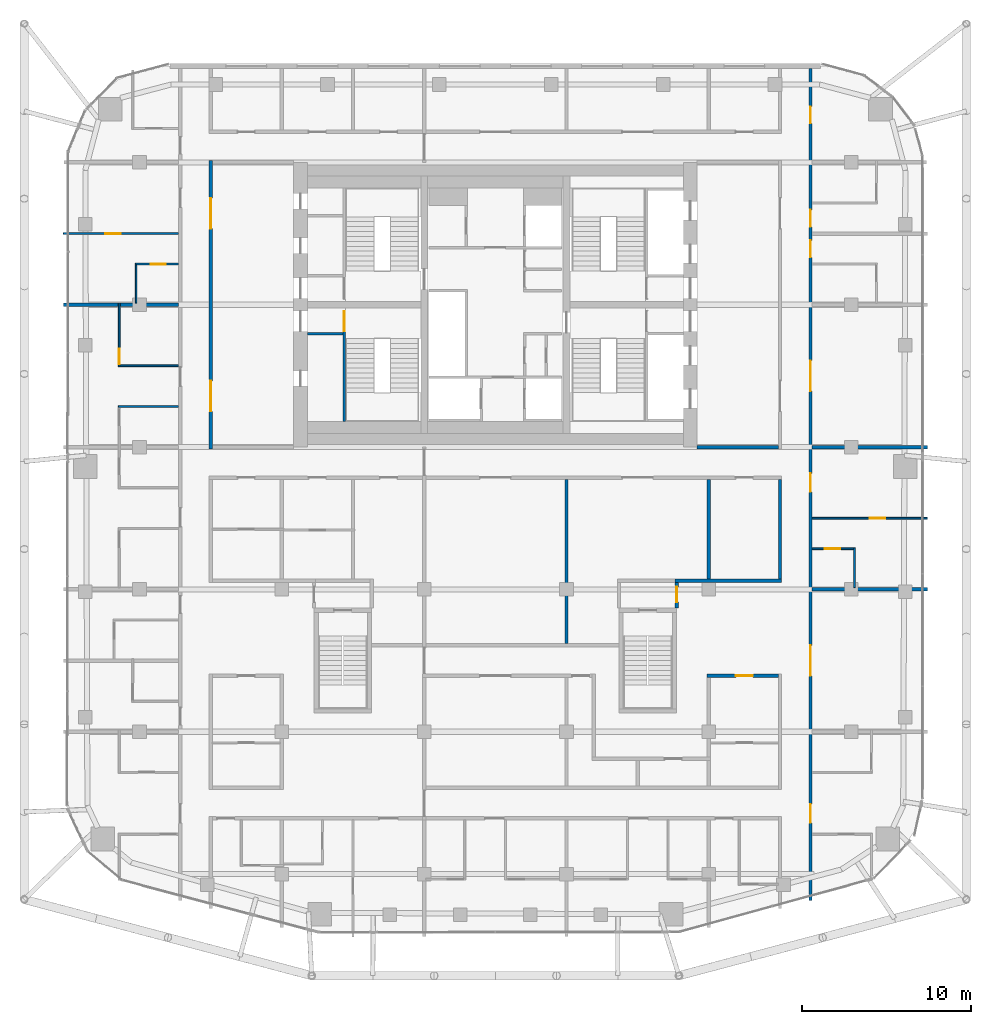
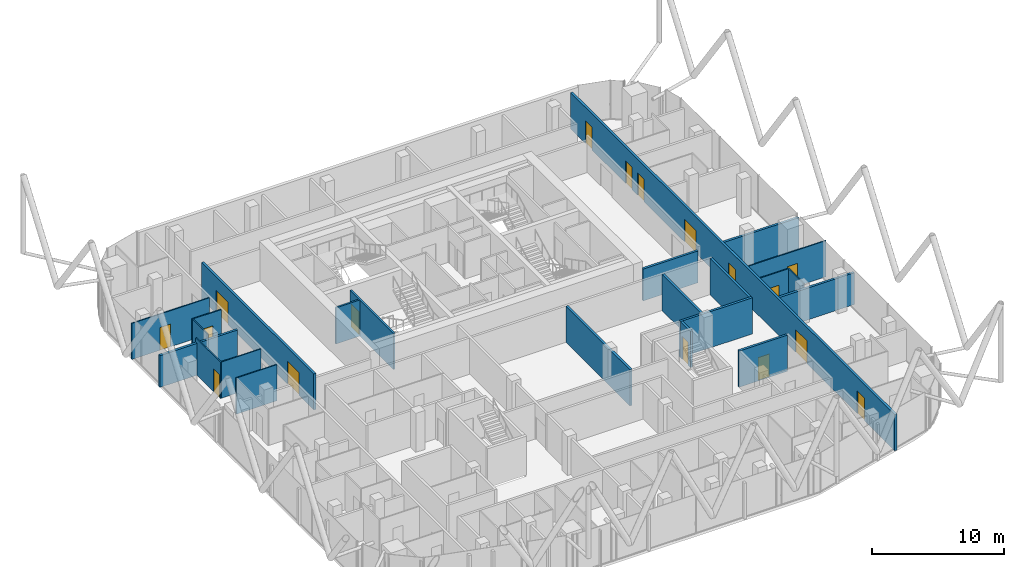
# One storey, part 26 of 31: 23 walls, 17 doors, 17 openings.
"""IFC4 building model written with IfcOpenShell, lengths in metres."""

from ifc_helpers import new_model, si_unit, direction, frame, frame_2d, origin, place, context, subcontext, project, spatial, rectangle, extrude, material, layer, layer_set, type_object, element, fill, save


model = new_model("IFC4")

# Units and contexts
model_context = context("Model", 3, precision=1e-05, world=origin(), true_north=direction((0.0, 1.0)))
body_context = subcontext(model_context, "Body", "Model", "MODEL_VIEW")
ifc_project = project(units=[si_unit("LENGTHUNIT", "METRE"), si_unit("AREAUNIT", "SQUARE_METRE"), si_unit("VOLUMEUNIT", "CUBIC_METRE"), si_unit("PLANEANGLEUNIT", "RADIAN"), si_unit("MASSUNIT", "GRAM", prefix="KILO")], contexts=[model_context])

# Site, building, storey
site_placement = place(None, origin())
site = spatial("IfcSite", under=ifc_project, at=site_placement, CompositionType="ELEMENT")
building_placement = place(site_placement, origin())
building = spatial("IfcBuilding", under=site, at=building_placement, Name="Marenta Gate Hotel Tower", CompositionType="ELEMENT")
storey_placement = place(building_placement, frame((0.0, 0.0, 205.699951171875)))
storey = spatial("IfcBuildingStorey", under=building, at=storey_placement, Name="L47", CompositionType="ELEMENT", Elevation=205.699951171875)

# Wall, openings, doors
ifc_material_1 = material(Name="Concrete blockwork", Category="masonry")
ifc_layer_1 = layer(ifc_material_1, 0.199951171875)
ifc_layer_set_1 = layer_set([ifc_layer_1], Name="Concrete blockwork")
wall_type_1 = type_object("IfcWallType", Name="Core boundary wall 200 REI 180", PredefinedType="PARTITIONING", material=ifc_layer_set_1)
wall_1_placement = place(storey_placement, frame((-16.800048828125, -0.10009765625, 0.0), z_axis=(0.0, 0.0, 1.0), x_axis=(0.0, 1.0, 0.0)))
wall_1 = element("IfcWall", 1, at=wall_1_placement, inside=storey, type_object=wall_type_1, Name="L47-CP-BW-W", PredefinedType="PARTITIONING", context=body_context, shape_type="SweptSolid", body=[
    extrude(rectangle(XDim=17.0, YDim=0.199951171875, at=frame_2d((8.5, 0.0))), origin(), (0.0, 0.0, 1.0), 3.340087890625),
])
opening_1_placement = place(wall_1_placement, frame((2.199951171875, 0.0, 0.0)))
opening_1 = element("IfcOpeningElement", 2, at=opening_1_placement, cuts=wall_1, Name="Opening ED-Wa-B", PredefinedType="OPENING", context=body_context, shape_type="SweptSolid", body=[
    extrude(rectangle(XDim=1.800048828125, YDim=2.10009765625, at=frame_2d((0.89990234375, 1.050048828125))), frame((0.0, 0.10009765625, 0.0), z_axis=(0.0, -1.0, 0.0), x_axis=(1.0, 0.0, 0.0)), (0.0, 0.0, 1.0), 0.199951171875),
])
opening_2_placement = place(wall_1_placement, frame((13.0, 0.0, 0.0)))
opening_2 = element("IfcOpeningElement", 3, at=opening_2_placement, cuts=wall_1, Name="Opening ED-Wb-B", PredefinedType="OPENING", context=body_context, shape_type="SweptSolid", body=[
    extrude(rectangle(XDim=1.800048828125, YDim=2.10009765625, at=frame_2d((0.89990234375, 1.050048828125))), frame((0.0, 0.10009765625, 0.0), z_axis=(0.0, -1.0, 0.0), x_axis=(1.0, 0.0, 0.0)), (0.0, 0.0, 1.0), 0.199951171875),
])
ifc_material_2 = material(Name="Steel", Category="steel")
door_type_1 = type_object("IfcDoorType", Name="Core lobby entrance door 1800x2100 EI 60", OperationType="DOUBLE_DOOR_SINGLE_SWING", PredefinedType="DOOR", material=ifc_material_2)
door_1_placement = place(opening_1_placement, origin())
door_1 = element("IfcDoor", 4, at=door_1_placement, inside=storey, type_object=door_type_1, Name="ED-Wa-B", OperationType="DOUBLE_DOOR_SINGLE_SWING", OverallHeight=2.10009765625, OverallWidth=1.800048828125, PredefinedType="DOOR", context=body_context, shape_type="SweptSolid", body=[
    extrude(rectangle(XDim=1.800048828125, YDim=2.10009765625, at=frame_2d((0.89990234375, 1.050048828125))), frame((0.0, 0.02490234375, 0.0), z_axis=(0.0, -1.0, 0.0), x_axis=(1.0, 0.0, 0.0)), (0.0, 0.0, 1.0), 0.050048828125),
])
fill(opening_1, door_1)
door_2_placement = place(opening_2_placement, origin())
door_2 = element("IfcDoor", 5, at=door_2_placement, inside=storey, type_object=door_type_1, Name="ED-Wb-B", OperationType="DOUBLE_DOOR_SINGLE_SWING", OverallHeight=2.10009765625, OverallWidth=1.800048828125, PredefinedType="DOOR", context=body_context, shape_type="SweptSolid", body=[
    extrude(rectangle(XDim=1.800048828125, YDim=2.10009765625, at=frame_2d((0.89990234375, 1.050048828125))), frame((0.0, 0.02490234375, 0.0), z_axis=(0.0, -1.0, 0.0), x_axis=(1.0, 0.0, 0.0)), (0.0, 0.0, 1.0), 0.050048828125),
])
fill(opening_2, door_2)

# Walls
wall_2_placement = place(storey_placement, frame((11.89990234375, 0.0, 0.0), z_axis=(0.0, 0.0, 1.0), x_axis=(1.0, 0.0, 0.0)))
element("IfcWall", 6, at=wall_2_placement, inside=storey, type_object=wall_type_1, Name="L47-CP-EW-ES", PredefinedType="PARTITIONING", context=body_context, shape_type="SweptSolid", body=[
    extrude(rectangle(XDim=4.800048828125, YDim=0.199951171875, at=frame_2d((2.39990234375, 0.0))), origin(), (0.0, 0.0, 1.0), 2.93994140625),
])
ifc_material_3 = material(Name="Concrete blockwork", Category="masonry")
ifc_layer_2 = layer(ifc_material_3, 0.14990234375)
ifc_layer_set_2 = layer_set([ifc_layer_2], Name="Concrete blockwork")
wall_type_2 = type_object("IfcWallType", Name="Core room partition 150 REI 180", PredefinedType="PARTITIONING", material=ifc_layer_set_2)
wall_3_placement = place(storey_placement, frame((-11.10009765625, 6.675048828125, 0.0), z_axis=(0.0, 0.0, 1.0), x_axis=(1.0, 0.0, 0.0)))
element("IfcWall", 7, at=wall_3_placement, inside=storey, type_object=wall_type_2, Name="L47-CP-SW-WS-2", PredefinedType="PARTITIONING", context=body_context, shape_type="SweptSolid", body=[
    extrude(rectangle(XDim=2.10009765625, YDim=0.14990234375, at=frame_2d((1.050048828125, 0.0))), origin(), (0.0, 0.0, 1.0), 3.340087890625),
])

# Wall, opening, door
ifc_material_4 = material(Name="Concrete C40", Category="concrete")
ifc_layer_3 = layer(ifc_material_4, 0.14990234375)
ifc_layer_set_3 = layer_set([ifc_layer_3], Name="Concrete C40")
wall_type_3 = type_object("IfcWallType", Name="Core stair enclosure wall 150 REI 180", PredefinedType="SHEAR", material=ifc_layer_set_3)
wall_4_placement = place(storey_placement, frame((-8.925048828125, 1.5, 0.0), z_axis=(0.0, 0.0, 1.0), x_axis=(0.0, 1.0, 0.0)))
wall_4 = element("IfcWall", 8, at=wall_4_placement, inside=storey, type_object=wall_type_3, Name="L47-SHF-SW-WS-3", PredefinedType="SHEAR", context=body_context, shape_type="SweptSolid", body=[
    extrude(rectangle(XDim=6.60009765625, YDim=0.14990234375, at=frame_2d((3.300048828125, 0.0))), origin(), (0.0, 0.0, 1.0), 3.340087890625),
])
opening_3_placement = place(wall_4_placement, frame((5.324951171875, 0.0, 0.0)))
opening_3 = element("IfcOpeningElement", 9, at=opening_3_placement, cuts=wall_4, Name="Opening SD-WS", PredefinedType="OPENING", context=body_context, shape_type="SweptSolid", body=[
    extrude(rectangle(XDim=1.199951171875, YDim=2.10009765625, at=frame_2d((0.60009765625, 1.050048828125))), frame((0.0, 0.074951171875, 0.0), z_axis=(0.0, -1.0, 0.0), x_axis=(1.0, 0.0, 0.0)), (0.0, 0.0, 1.0), 0.14990234375),
])
ifc_material_5 = material(Name="Steel", Category="steel")
door_type_2 = type_object("IfcDoorType", Name="Core stair door 1200x2100 FD60", OperationType="SINGLE_SWING_LEFT", PredefinedType="DOOR", material=ifc_material_5)
door_3_placement = place(opening_3_placement, origin())
door_3 = element("IfcDoor", 10, at=door_3_placement, inside=storey, type_object=door_type_2, Name="SD-WS", OperationType="SINGLE_SWING_LEFT", OverallHeight=2.10009765625, OverallWidth=1.199951171875, PredefinedType="DOOR", context=body_context, shape_type="SweptSolid", body=[
    extrude(rectangle(XDim=1.199951171875, YDim=2.10009765625, at=frame_2d((0.60009765625, 1.050048828125))), frame((0.0, 0.02490234375, 0.0), z_axis=(0.0, -1.0, 0.0), x_axis=(1.0, 0.0, 0.0)), (0.0, 0.0, 1.0), 0.050048828125),
])
fill(opening_3, door_3)

ifc_material_6 = material(Name="Concrete blockwork", Category="masonry")
ifc_layer_4 = layer(ifc_material_6, 0.199951171875)
ifc_layer_set_4 = layer_set([ifc_layer_4], Name="Concrete blockwork")
wall_type_4 = type_object("IfcWallType", Name="Room corridor wall 200 EI 120", PredefinedType="PARTITIONING", material=ifc_layer_set_4)
wall_5_placement = place(storey_placement, frame((12.5, -13.5, 0.0), z_axis=(0.0, 0.0, 1.0), x_axis=(1.0, 0.0, 0.0)))
wall_5 = element("IfcWall", 11, at=wall_5_placement, inside=storey, type_object=wall_type_4, Name="L47-PTN-W033", PredefinedType="PARTITIONING", context=body_context, shape_type="SweptSolid", body=[
    extrude(rectangle(XDim=4.199951171875, YDim=0.199951171875, at=frame_2d((2.10009765625, 0.0))), origin(), (0.0, 0.0, 1.0), 3.340087890625),
])
opening_4_placement = place(wall_5_placement, frame((1.699951171875, 0.0, 0.0)))
opening_4 = element("IfcOpeningElement", 12, at=opening_4_placement, cuts=wall_5, Name="Opening G16-14", PredefinedType="OPENING", context=body_context, shape_type="SweptSolid", body=[
    extrude(rectangle(XDim=1.0, YDim=2.10009765625, at=frame_2d((0.5, 1.050048828125))), frame((0.0, 0.10009765625, 0.0), z_axis=(0.0, -1.0, 0.0), x_axis=(1.0, 0.0, 0.0)), (0.0, 0.0, 1.0), 0.199951171875),
])
ifc_material_7 = material(Name="Hollow steel door set", Category="steel")
door_type_3 = type_object("IfcDoorType", Name="Room service door 1000x2100 EI 60", OperationType="NOTDEFINED", PredefinedType="DOOR", material=ifc_material_7)
door_4_placement = place(opening_4_placement, origin())
door_4 = element("IfcDoor", 13, at=door_4_placement, inside=storey, type_object=door_type_3, Name="L47-PD-D014", OperationType="SINGLE_SWING_RIGHT", OverallHeight=2.10009765625, OverallWidth=1.0, PredefinedType="DOOR", context=body_context, shape_type="SweptSolid", body=[
    extrude(rectangle(XDim=1.0, YDim=2.10009765625, at=frame_2d((0.5, 1.050048828125))), frame((0.0, 0.02490234375, 0.0), z_axis=(0.0, -1.0, 0.0), x_axis=(1.0, 0.0, 0.0)), (0.0, 0.0, 1.0), 0.050048828125),
])
fill(opening_4, door_4)

# Wall, openings, doors
ifc_material_8 = material(Name="Gypsum board on steel stud", Category="steel")
ifc_layer_5 = layer(ifc_material_8, 0.199951171875)
ifc_layer_set_5 = layer_set([ifc_layer_5], Name="Gypsum board on steel stud")
wall_type_5 = type_object("IfcWallType", Name="Room corridor wall 200 EI 60", PredefinedType="PARTITIONING", material=ifc_layer_set_5)
wall_6_placement = place(storey_placement, frame((18.60009765625, -26.7509765625, 0.0), z_axis=(0.0, 0.0, 1.0), x_axis=(0.0, 1.0, 0.0)))
wall_6 = element("IfcWall", 14, at=wall_6_placement, inside=storey, type_object=wall_type_5, Name="L47-PTN-W019", PredefinedType="PARTITIONING", context=body_context, shape_type="SweptSolid", body=[
    extrude(rectangle(XDim=49.091064453125, YDim=0.199951171875, at=frame_2d((24.54541015625, 0.0))), origin(), (0.0, 0.0, 1.0), 3.340087890625),
])
opening_5_placement = place(wall_6_placement, frame((4.575927734375, 0.0, 0.0)))
opening_5 = element("IfcOpeningElement", 15, at=opening_5_placement, cuts=wall_6, Name="Opening G16-16", PredefinedType="OPENING", context=body_context, shape_type="SweptSolid", body=[
    extrude(rectangle(XDim=1.10009765625, YDim=2.10009765625, at=frame_2d((0.550048828125, 1.050048828125))), frame((0.0, 0.10009765625, 0.0), z_axis=(0.0, -1.0, 0.0), x_axis=(1.0, 0.0, 0.0)), (0.0, 0.0, 1.0), 0.199951171875),
])
opening_6_placement = place(wall_6_placement, frame((13.2509765625, 0.0, 0.0)))
opening_6 = element("IfcOpeningElement", 16, at=opening_6_placement, cuts=wall_6, Name="Opening G16-19", PredefinedType="OPENING", context=body_context, shape_type="SweptSolid", body=[
    extrude(rectangle(XDim=1.800048828125, YDim=2.10009765625, at=frame_2d((0.89990234375, 1.050048828125))), frame((0.0, 0.10009765625, 0.0), z_axis=(0.0, -1.0, 0.0), x_axis=(1.0, 0.0, 0.0)), (0.0, 0.0, 1.0), 0.199951171875),
])
opening_7_placement = place(wall_6_placement, frame((24.10107421875, 0.0, 0.0)))
opening_7 = element("IfcOpeningElement", 17, at=opening_7_placement, cuts=wall_6, Name="Opening G16-20", PredefinedType="OPENING", context=body_context, shape_type="SweptSolid", body=[
    extrude(rectangle(XDim=1.10009765625, YDim=2.10009765625, at=frame_2d((0.550048828125, 1.050048828125))), frame((0.0, 0.10009765625, 0.0), z_axis=(0.0, -1.0, 0.0), x_axis=(1.0, 0.0, 0.0)), (0.0, 0.0, 1.0), 0.199951171875),
])
opening_8_placement = place(wall_6_placement, frame((30.051025390625, 0.0, 0.0)))
opening_8 = element("IfcOpeningElement", 18, at=opening_8_placement, cuts=wall_6, Name="Opening G16-23", PredefinedType="OPENING", context=body_context, shape_type="SweptSolid", body=[
    extrude(rectangle(XDim=1.800048828125, YDim=2.10009765625, at=frame_2d((0.89990234375, 1.050048828125))), frame((0.0, 0.10009765625, 0.0), z_axis=(0.0, -1.0, 0.0), x_axis=(1.0, 0.0, 0.0)), (0.0, 0.0, 1.0), 0.199951171875),
])
opening_9_placement = place(wall_6_placement, frame((37.950927734375, 0.0, 0.0)))
opening_9 = element("IfcOpeningElement", 19, at=opening_9_placement, cuts=wall_6, Name="Opening G16-24", PredefinedType="OPENING", context=body_context, shape_type="SweptSolid", body=[
    extrude(rectangle(XDim=1.0, YDim=2.10009765625, at=frame_2d((0.5, 1.050048828125))), frame((0.0, 0.10009765625, 0.0), z_axis=(0.0, -1.0, 0.0), x_axis=(1.0, 0.0, 0.0)), (0.0, 0.0, 1.0), 0.199951171875),
])
opening_10_placement = place(wall_6_placement, frame((39.7509765625, 0.0, 0.0)))
opening_10 = element("IfcOpeningElement", 20, at=opening_10_placement, cuts=wall_6, Name="Opening G16-26", PredefinedType="OPENING", context=body_context, shape_type="SweptSolid", body=[
    extrude(rectangle(XDim=1.0, YDim=2.10009765625, at=frame_2d((0.5, 1.050048828125))), frame((0.0, 0.10009765625, 0.0), z_axis=(0.0, -1.0, 0.0), x_axis=(1.0, 0.0, 0.0)), (0.0, 0.0, 1.0), 0.199951171875),
])
opening_11_placement = place(wall_6_placement, frame((45.85107421875, 0.0, 0.0)))
opening_11 = element("IfcOpeningElement", 21, at=opening_11_placement, cuts=wall_6, Name="Opening G16-28", PredefinedType="OPENING", context=body_context, shape_type="SweptSolid", body=[
    extrude(rectangle(XDim=1.0, YDim=2.10009765625, at=frame_2d((0.5, 1.050048828125))), frame((0.0, 0.10009765625, 0.0), z_axis=(0.0, -1.0, 0.0), x_axis=(1.0, 0.0, 0.0)), (0.0, 0.0, 1.0), 0.199951171875),
])
ifc_material_9 = material(Name="Timber door leaf", Category="wood")
door_type_4 = type_object("IfcDoorType", Name="Guest room door 1000x2100 EI 30", OperationType="NOTDEFINED", PredefinedType="DOOR", material=ifc_material_9)
door_5_placement = place(opening_9_placement, origin())
door_5 = element("IfcDoor", 22, at=door_5_placement, inside=storey, type_object=door_type_4, Name="L47-PD-D024", OperationType="SINGLE_SWING_RIGHT", OverallHeight=2.10009765625, OverallWidth=1.0, PredefinedType="DOOR", context=body_context, shape_type="SweptSolid", body=[
    extrude(rectangle(XDim=1.0, YDim=2.10009765625, at=frame_2d((0.5, 1.050048828125))), frame((0.0, 0.02490234375, 0.0), z_axis=(0.0, -1.0, 0.0), x_axis=(1.0, 0.0, 0.0)), (0.0, 0.0, 1.0), 0.050048828125),
])
fill(opening_9, door_5)
door_6_placement = place(opening_10_placement, origin())
door_6 = element("IfcDoor", 23, at=door_6_placement, inside=storey, type_object=door_type_4, Name="L47-PD-D026", OperationType="SINGLE_SWING_RIGHT", OverallHeight=2.10009765625, OverallWidth=1.0, PredefinedType="DOOR", context=body_context, shape_type="SweptSolid", body=[
    extrude(rectangle(XDim=1.0, YDim=2.10009765625, at=frame_2d((0.5, 1.050048828125))), frame((0.0, 0.02490234375, 0.0), z_axis=(0.0, -1.0, 0.0), x_axis=(1.0, 0.0, 0.0)), (0.0, 0.0, 1.0), 0.050048828125),
])
fill(opening_10, door_6)
ifc_material_10 = material(Name="Timber door leaf", Category="wood")
door_type_5 = type_object("IfcDoorType", Name="Guest room door 1100x2100 EI 30", OperationType="NOTDEFINED", PredefinedType="DOOR", material=ifc_material_10)
door_7_placement = place(opening_5_placement, origin())
door_7 = element("IfcDoor", 24, at=door_7_placement, inside=storey, type_object=door_type_5, Name="L47-PD-D016", OperationType="SINGLE_SWING_RIGHT", OverallHeight=2.10009765625, OverallWidth=1.10009765625, PredefinedType="DOOR", context=body_context, shape_type="SweptSolid", body=[
    extrude(rectangle(XDim=1.10009765625, YDim=2.10009765625, at=frame_2d((0.550048828125, 1.050048828125))), frame((0.0, 0.02490234375, 0.0), z_axis=(0.0, -1.0, 0.0), x_axis=(1.0, 0.0, 0.0)), (0.0, 0.0, 1.0), 0.050048828125),
])
fill(opening_5, door_7)
door_8_placement = place(opening_7_placement, origin())
door_8 = element("IfcDoor", 25, at=door_8_placement, inside=storey, type_object=door_type_5, Name="L47-PD-D020", OperationType="SINGLE_SWING_RIGHT", OverallHeight=2.10009765625, OverallWidth=1.10009765625, PredefinedType="DOOR", context=body_context, shape_type="SweptSolid", body=[
    extrude(rectangle(XDim=1.10009765625, YDim=2.10009765625, at=frame_2d((0.550048828125, 1.050048828125))), frame((0.0, 0.02490234375, 0.0), z_axis=(0.0, -1.0, 0.0), x_axis=(1.0, 0.0, 0.0)), (0.0, 0.0, 1.0), 0.050048828125),
])
fill(opening_7, door_8)
ifc_material_11 = material(Name="Timber door leaf", Category="wood")
door_type_6 = type_object("IfcDoorType", Name="Room amenity door 1000x2100 EI 30", OperationType="NOTDEFINED", PredefinedType="DOOR", material=ifc_material_11)
door_9_placement = place(opening_11_placement, origin())
door_9 = element("IfcDoor", 26, at=door_9_placement, inside=storey, type_object=door_type_6, Name="L47-PD-D028", OperationType="SINGLE_SWING_LEFT", OverallHeight=2.10009765625, OverallWidth=1.0, PredefinedType="DOOR", context=body_context, shape_type="SweptSolid", body=[
    extrude(rectangle(XDim=1.0, YDim=2.10009765625, at=frame_2d((0.5, 1.050048828125))), frame((0.0, 0.02490234375, 0.0), z_axis=(0.0, -1.0, 0.0), x_axis=(1.0, 0.0, 0.0)), (0.0, 0.0, 1.0), 0.050048828125),
])
fill(opening_11, door_9)
ifc_material_12 = material(Name="Timber door leaf", Category="wood")
door_type_7 = type_object("IfcDoorType", Name="Room amenity door 1800x2100 EI 30", OperationType="DOUBLE_DOOR_SINGLE_SWING", PredefinedType="DOOR", material=ifc_material_12)
door_10_placement = place(opening_6_placement, origin())
door_10 = element("IfcDoor", 27, at=door_10_placement, inside=storey, type_object=door_type_7, Name="L47-PD-D019", OperationType="DOUBLE_DOOR_SINGLE_SWING", OverallHeight=2.10009765625, OverallWidth=1.800048828125, PredefinedType="DOOR", context=body_context, shape_type="SweptSolid", body=[
    extrude(rectangle(XDim=1.800048828125, YDim=2.10009765625, at=frame_2d((0.89990234375, 1.050048828125))), frame((0.0, 0.02490234375, 0.0), z_axis=(0.0, -1.0, 0.0), x_axis=(1.0, 0.0, 0.0)), (0.0, 0.0, 1.0), 0.050048828125),
])
fill(opening_6, door_10)
door_11_placement = place(opening_8_placement, origin())
door_11 = element("IfcDoor", 28, at=door_11_placement, inside=storey, type_object=door_type_7, Name="L47-PD-D023", OperationType="DOUBLE_DOOR_SINGLE_SWING", OverallHeight=2.10009765625, OverallWidth=1.800048828125, PredefinedType="DOOR", context=body_context, shape_type="SweptSolid", body=[
    extrude(rectangle(XDim=1.800048828125, YDim=2.10009765625, at=frame_2d((0.89990234375, 1.050048828125))), frame((0.0, 0.02490234375, 0.0), z_axis=(0.0, -1.0, 0.0), x_axis=(1.0, 0.0, 0.0)), (0.0, 0.0, 1.0), 0.050048828125),
])
fill(opening_8, door_11)

# Walls
wall_7_placement = place(storey_placement, frame((16.800048828125, -7.800048828125, 0.0), z_axis=(0.0, 0.0, 1.0), x_axis=(0.0, 1.0, 0.0)))
element("IfcWall", 29, at=wall_7_placement, inside=storey, type_object=wall_type_5, Name="L47-PTN-W025", PredefinedType="PARTITIONING", context=body_context, shape_type="SweptSolid", body=[
    extrude(rectangle(XDim=5.900146484375, YDim=0.199951171875, at=frame_2d((2.9501953125, 0.0))), origin(), (0.0, 0.0, 1.0), 3.340087890625),
])
wall_8_placement = place(storey_placement, frame((10.60009765625, -7.89990234375, 0.0), z_axis=(0.0, 0.0, 1.0), x_axis=(1.0, 0.0, 0.0)))
element("IfcWall", 30, at=wall_8_placement, inside=storey, type_object=wall_type_5, Name="L47-PTN-W048", PredefinedType="PARTITIONING", context=body_context, shape_type="SweptSolid", body=[
    extrude(rectangle(XDim=6.2998046875, YDim=0.199951171875, at=frame_2d((3.14990234375, 0.0))), origin(), (0.0, 0.0, 1.0), 3.340087890625),
])

# Wall, opening, door
ifc_material_13 = material(Name="Concrete blockwork", Category="masonry")
ifc_layer_6 = layer(ifc_material_13, 0.199951171875)
ifc_layer_set_6 = layer_set([ifc_layer_6], Name="Concrete blockwork")
wall_type_6 = type_object("IfcWallType", Name="Room corridor wall 200 REI 180", PredefinedType="PARTITIONING", material=ifc_layer_set_6)
wall_9_placement = place(storey_placement, frame((10.699951171875, -9.5, 0.0), z_axis=(0.0, 0.0, 1.0), x_axis=(0.0, 1.0, 0.0)))
wall_9 = element("IfcWall", 31, at=wall_9_placement, inside=storey, type_object=wall_type_6, Name="L47-PTN-W041", PredefinedType="PARTITIONING", context=body_context, shape_type="SweptSolid", body=[
    extrude(rectangle(XDim=1.5, YDim=0.199951171875, at=frame_2d((0.75, 0.0))), origin(), (0.0, 0.0, 1.0), 3.340087890625),
])
opening_12_placement = place(wall_9_placement, frame((0.35009765625, 0.0, 0.0)))
opening_12 = element("IfcOpeningElement", 32, at=opening_12_placement, cuts=wall_9, Name="Opening G16-65", PredefinedType="OPENING", context=body_context, shape_type="SweptSolid", body=[
    extrude(rectangle(XDim=0.89990234375, YDim=2.10009765625, at=frame_2d((0.449951171875, 1.050048828125))), frame((0.0, 0.10009765625, 0.0), z_axis=(0.0, -1.0, 0.0), x_axis=(1.0, 0.0, 0.0)), (0.0, 0.0, 1.0), 0.199951171875),
])
ifc_material_14 = material(Name="Hollow steel door set", Category="steel")
door_type_8 = type_object("IfcDoorType", Name="Stair vestibule door 900x2100 EI 60", OperationType="NOTDEFINED", PredefinedType="DOOR", material=ifc_material_14)
door_12_placement = place(opening_12_placement, origin())
door_12 = element("IfcDoor", 33, at=door_12_placement, inside=storey, type_object=door_type_8, Name="L47-PD-D065", OperationType="SINGLE_SWING_RIGHT", OverallHeight=2.10009765625, OverallWidth=0.89990234375, PredefinedType="DOOR", context=body_context, shape_type="SweptSolid", body=[
    extrude(rectangle(XDim=0.89990234375, YDim=2.10009765625, at=frame_2d((0.449951171875, 1.050048828125))), frame((0.0, 0.02490234375, 0.0), z_axis=(0.0, -1.0, 0.0), x_axis=(1.0, 0.0, 0.0)), (0.0, 0.0, 1.0), 0.050048828125),
])
fill(opening_12, door_12)

# Wall
ifc_material_15 = material(Name="Gypsum board on steel stud", Category="steel")
ifc_layer_7 = layer(ifc_material_15, 0.10009765625)
ifc_layer_set_7 = layer_set([ifc_layer_7], Name="Gypsum board on steel stud")
wall_type_7 = type_object("IfcWallType", Name="Room partition 100", PredefinedType="PARTITIONING", material=ifc_layer_set_7)
wall_10_placement = place(storey_placement, frame((21.199951171875, -8.300048828125, 0.0), z_axis=(0.0, 0.0, 1.0), x_axis=(0.0, 1.0, 0.0)))
element("IfcWall", 34, at=wall_10_placement, inside=storey, type_object=wall_type_7, Name="L47-PTN-W014", PredefinedType="PARTITIONING", context=body_context, shape_type="SweptSolid", body=[
    extrude(rectangle(XDim=2.35009765625, YDim=0.10009765625, at=frame_2d((1.175048828125, 0.0))), origin(), (0.0, 0.0, 1.0), 3.340087890625),
])

# Wall, opening, door
wall_11_placement = place(storey_placement, frame((18.699951171875, -6.0, 0.0), z_axis=(0.0, 0.0, 1.0), x_axis=(1.0, 0.0, 0.0)))
wall_11 = element("IfcWall", 35, at=wall_11_placement, inside=storey, type_object=wall_type_7, Name="L47-PTN-W053", PredefinedType="PARTITIONING", context=body_context, shape_type="SweptSolid", body=[
    extrude(rectangle(XDim=2.449951171875, YDim=0.10009765625, at=frame_2d((1.22509765625, 0.0))), origin(), (0.0, 0.0, 1.0), 3.340087890625),
])
opening_13_placement = place(wall_11_placement, frame((0.75, 0.0, 0.0)))
opening_13 = element("IfcOpeningElement", 36, at=opening_13_placement, cuts=wall_11, Name="Opening G16-22", PredefinedType="OPENING", context=body_context, shape_type="SweptSolid", body=[
    extrude(rectangle(XDim=0.89990234375, YDim=2.10009765625, at=frame_2d((0.449951171875, 1.050048828125))), frame((0.0, 0.050048828125, 0.0), z_axis=(0.0, -1.0, 0.0), x_axis=(1.0, 0.0, 0.0)), (0.0, 0.0, 1.0), 0.10009765625),
])
ifc_material_16 = material(Name="Timber door leaf", Category="wood")
door_type_9 = type_object("IfcDoorType", Name="Guest bathroom door 900x2100", OperationType="NOTDEFINED", PredefinedType="DOOR", material=ifc_material_16)
door_13_placement = place(opening_13_placement, origin())
door_13 = element("IfcDoor", 37, at=door_13_placement, inside=storey, type_object=door_type_9, Name="L47-PD-D022", OperationType="SINGLE_SWING_RIGHT", OverallHeight=2.10009765625, OverallWidth=0.89990234375, PredefinedType="DOOR", context=body_context, shape_type="SweptSolid", body=[
    extrude(rectangle(XDim=0.89990234375, YDim=2.10009765625, at=frame_2d((0.449951171875, 1.050048828125))), frame((0.0, 0.02490234375, 0.0), z_axis=(0.0, -1.0, 0.0), x_axis=(1.0, 0.0, 0.0)), (0.0, 0.0, 1.0), 0.050048828125),
])
fill(opening_13, door_13)

wall_12_placement = place(storey_placement, frame((18.699951171875, -4.199951171875, 0.0), z_axis=(0.0, 0.0, 1.0), x_axis=(1.0, 0.0, 0.0)))
wall_12 = element("IfcWall", 38, at=wall_12_placement, inside=storey, type_object=wall_type_7, Name="L47-PTN-W062", PredefinedType="PARTITIONING", context=body_context, shape_type="SweptSolid", body=[
    extrude(rectangle(XDim=6.800048828125, YDim=0.10009765625, at=frame_2d((3.39990234375, 0.0))), origin(), (0.0, 0.0, 1.0), 3.340087890625),
])
opening_14_placement = place(wall_12_placement, frame((3.409912109375, 0.0, 0.0)))
opening_14 = element("IfcOpeningElement", 39, at=opening_14_placement, cuts=wall_12, Name="Opening G16-21", PredefinedType="OPENING", context=body_context, shape_type="SweptSolid", body=[
    extrude(rectangle(XDim=0.89990234375, YDim=2.10009765625, at=frame_2d((0.449951171875, 1.050048828125))), frame((0.0, 0.050048828125, 0.0), z_axis=(0.0, -1.0, 0.0), x_axis=(1.0, 0.0, 0.0)), (0.0, 0.0, 1.0), 0.10009765625),
])
ifc_material_17 = material(Name="Timber door leaf", Category="wood")
door_type_10 = type_object("IfcDoorType", Name="Room inner door 900x2100", OperationType="NOTDEFINED", PredefinedType="DOOR", material=ifc_material_17)
door_14_placement = place(opening_14_placement, origin())
door_14 = element("IfcDoor", 40, at=door_14_placement, inside=storey, type_object=door_type_10, Name="L47-PD-D021", OperationType="SINGLE_SWING_RIGHT", OverallHeight=2.10009765625, OverallWidth=0.89990234375, PredefinedType="DOOR", context=body_context, shape_type="SweptSolid", body=[
    extrude(rectangle(XDim=0.89990234375, YDim=2.10009765625, at=frame_2d((0.449951171875, 1.050048828125))), frame((0.0, 0.02490234375, 0.0), z_axis=(0.0, -1.0, 0.0), x_axis=(1.0, 0.0, 0.0)), (0.0, 0.0, 1.0), 0.050048828125),
])
fill(opening_14, door_14)

# Walls
wall_13_placement = place(storey_placement, frame((-22.25, 2.39990234375, 0.0), z_axis=(0.0, 0.0, 1.0), x_axis=(1.0, 0.0, 0.0)))
element("IfcWall", 41, at=wall_13_placement, inside=storey, type_object=wall_type_7, Name="L47-PTN-W069", PredefinedType="PARTITIONING", context=body_context, shape_type="SweptSolid", body=[
    extrude(rectangle(XDim=3.550048828125, YDim=0.10009765625, at=frame_2d((1.77490234375, 0.0))), origin(), (0.0, 0.0, 1.0), 3.340087890625),
])
wall_14_placement = place(storey_placement, frame((-22.14990234375, 4.800048828125, 0.0), z_axis=(0.0, 0.0, 1.0), x_axis=(1.0, 0.0, 0.0)))
element("IfcWall", 42, at=wall_14_placement, inside=storey, type_object=wall_type_7, Name="L47-PTN-W074", PredefinedType="PARTITIONING", context=body_context, shape_type="SweptSolid", body=[
    extrude(rectangle(XDim=3.449951171875, YDim=0.10009765625, at=frame_2d((1.72509765625, 0.0))), origin(), (0.0, 0.0, 1.0), 3.340087890625),
])

# Wall, opening, door
wall_15_placement = place(storey_placement, frame((-21.25, 10.800048828125, 0.0), z_axis=(0.0, 0.0, 1.0), x_axis=(1.0, 0.0, 0.0)))
wall_15 = element("IfcWall", 43, at=wall_15_placement, inside=storey, type_object=wall_type_7, Name="L47-PTN-W083", PredefinedType="PARTITIONING", context=body_context, shape_type="SweptSolid", body=[
    extrude(rectangle(XDim=2.550048828125, YDim=0.10009765625, at=frame_2d((1.27490234375, 0.0))), origin(), (0.0, 0.0, 1.0), 3.340087890625),
])
opening_15_placement = place(wall_15_placement, frame((0.89990234375, 0.0, 0.0)))
opening_15 = element("IfcOpeningElement", 44, at=opening_15_placement, cuts=wall_15, Name="Opening G16-61", PredefinedType="OPENING", context=body_context, shape_type="SweptSolid", body=[
    extrude(rectangle(XDim=0.89990234375, YDim=2.10009765625, at=frame_2d((0.449951171875, 1.050048828125))), frame((0.0, 0.050048828125, 0.0), z_axis=(0.0, -1.0, 0.0), x_axis=(1.0, 0.0, 0.0)), (0.0, 0.0, 1.0), 0.10009765625),
])
door_15_placement = place(opening_15_placement, origin())
door_15 = element("IfcDoor", 45, at=door_15_placement, inside=storey, type_object=door_type_9, Name="L47-PD-D061", OperationType="SINGLE_SWING_LEFT", OverallHeight=2.10009765625, OverallWidth=0.89990234375, PredefinedType="DOOR", context=body_context, shape_type="SweptSolid", body=[
    extrude(rectangle(XDim=0.89990234375, YDim=2.10009765625, at=frame_2d((0.449951171875, 1.050048828125))), frame((0.0, 0.02490234375, 0.0), z_axis=(0.0, -1.0, 0.0), x_axis=(1.0, 0.0, 0.0)), (0.0, 0.0, 1.0), 0.050048828125),
])
fill(opening_15, door_15)

wall_16_placement = place(storey_placement, frame((-25.5, 12.60009765625, 0.0), z_axis=(0.0, 0.0, 1.0), x_axis=(1.0, 0.0, 0.0)))
wall_16 = element("IfcWall", 46, at=wall_16_placement, inside=storey, type_object=wall_type_7, Name="L47-PTN-W089", PredefinedType="PARTITIONING", context=body_context, shape_type="SweptSolid", body=[
    extrude(rectangle(XDim=6.800048828125, YDim=0.10009765625, at=frame_2d((3.39990234375, 0.0))), origin(), (0.0, 0.0, 1.0), 3.340087890625),
])
opening_16_placement = place(wall_16_placement, frame((2.489990234375, 0.0, 0.0)))
opening_16 = element("IfcOpeningElement", 47, at=opening_16_placement, cuts=wall_16, Name="Opening G16-60", PredefinedType="OPENING", context=body_context, shape_type="SweptSolid", body=[
    extrude(rectangle(XDim=0.89990234375, YDim=2.10009765625, at=frame_2d((0.449951171875, 1.050048828125))), frame((0.0, 0.050048828125, 0.0), z_axis=(0.0, -1.0, 0.0), x_axis=(1.0, 0.0, 0.0)), (0.0, 0.0, 1.0), 0.10009765625),
])
door_16_placement = place(opening_16_placement, origin())
door_16 = element("IfcDoor", 48, at=door_16_placement, inside=storey, type_object=door_type_10, Name="L47-PD-D060", OperationType="SINGLE_SWING_RIGHT", OverallHeight=2.10009765625, OverallWidth=0.89990234375, PredefinedType="DOOR", context=body_context, shape_type="SweptSolid", body=[
    extrude(rectangle(XDim=0.89990234375, YDim=2.10009765625, at=frame_2d((0.449951171875, 1.050048828125))), frame((0.0, 0.02490234375, 0.0), z_axis=(0.0, -1.0, 0.0), x_axis=(1.0, 0.0, 0.0)), (0.0, 0.0, 1.0), 0.050048828125),
])
fill(opening_16, door_16)

# Wall
wall_17_placement = place(storey_placement, frame((-21.199951171875, 8.5, 0.0), z_axis=(0.0, 0.0, 1.0), x_axis=(0.0, 1.0, 0.0)))
element("IfcWall", 49, at=wall_17_placement, inside=storey, type_object=wall_type_7, Name="L47-PTN-W102", PredefinedType="PARTITIONING", context=body_context, shape_type="SweptSolid", body=[
    extrude(rectangle(XDim=2.25, YDim=0.10009765625, at=frame_2d((1.125, 0.0))), origin(), (0.0, 0.0, 1.0), 3.340087890625),
])

# Wall, opening, door
wall_18_placement = place(storey_placement, frame((-22.199951171875, 4.75, 0.0), z_axis=(0.0, 0.0, 1.0), x_axis=(0.0, 1.0, 0.0)))
wall_18 = element("IfcWall", 50, at=wall_18_placement, inside=storey, type_object=wall_type_7, Name="L47-PTN-W109", PredefinedType="PARTITIONING", context=body_context, shape_type="SweptSolid", body=[
    extrude(rectangle(XDim=3.75, YDim=0.10009765625, at=frame_2d((1.875, 0.0))), origin(), (0.0, 0.0, 1.0), 3.340087890625),
])
opening_17_placement = place(wall_18_placement, frame((0.14990234375, 0.0, 0.0)))
opening_17 = element("IfcOpeningElement", 51, at=opening_17_placement, cuts=wall_18, Name="Opening G16-57", PredefinedType="OPENING", context=body_context, shape_type="SweptSolid", body=[
    extrude(rectangle(XDim=0.89990234375, YDim=2.10009765625, at=frame_2d((0.449951171875, 1.050048828125))), frame((0.0, 0.050048828125, 0.0), z_axis=(0.0, -1.0, 0.0), x_axis=(1.0, 0.0, 0.0)), (0.0, 0.0, 1.0), 0.10009765625),
])
door_17_placement = place(opening_17_placement, origin())
door_17 = element("IfcDoor", 52, at=door_17_placement, inside=storey, type_object=door_type_9, Name="L47-PD-D057", OperationType="SINGLE_SWING_RIGHT", OverallHeight=2.10009765625, OverallWidth=0.89990234375, PredefinedType="DOOR", context=body_context, shape_type="SweptSolid", body=[
    extrude(rectangle(XDim=0.89990234375, YDim=2.10009765625, at=frame_2d((0.449951171875, 1.050048828125))), frame((0.0, 0.02490234375, 0.0), z_axis=(0.0, -1.0, 0.0), x_axis=(1.0, 0.0, 0.0)), (0.0, 0.0, 1.0), 0.050048828125),
])
fill(opening_17, door_17)

# Walls
ifc_material_18 = material(Name="Gypsum board on steel stud", Category="steel")
ifc_layer_8 = layer(ifc_material_18, 0.199951171875)
ifc_layer_set_8 = layer_set([ifc_layer_8], Name="Gypsum board on steel stud")
wall_type_8 = type_object("IfcWallType", Name="Room party wall 200 EI 60", PredefinedType="PARTITIONING", material=ifc_layer_set_8)
wall_19_placement = place(storey_placement, frame((12.60009765625, -7.800048828125, 0.0), z_axis=(0.0, 0.0, 1.0), x_axis=(0.0, 1.0, 0.0)))
element("IfcWall", 53, at=wall_19_placement, inside=storey, type_object=wall_type_8, Name="L47-PTN-W036", PredefinedType="PARTITIONING", context=body_context, shape_type="SweptSolid", body=[
    extrude(rectangle(XDim=5.900146484375, YDim=0.199951171875, at=frame_2d((2.9501953125, 0.0))), origin(), (0.0, 0.0, 1.0), 3.340087890625),
])
wall_20_placement = place(storey_placement, frame((18.699951171875, -8.39990234375, 0.0), z_axis=(0.0, 0.0, 1.0), x_axis=(1.0, 0.0, 0.0)))
element("IfcWall", 54, at=wall_20_placement, inside=storey, type_object=wall_type_8, Name="L47-PTN-W046", PredefinedType="PARTITIONING", context=body_context, shape_type="SweptSolid", body=[
    extrude(rectangle(XDim=6.800048828125, YDim=0.199951171875, at=frame_2d((3.39990234375, 0.0))), origin(), (0.0, 0.0, 1.0), 2.93994140625),
])
wall_21_placement = place(storey_placement, frame((4.199951171875, -11.60009765625, 0.0), z_axis=(0.0, 0.0, 1.0), x_axis=(0.0, 1.0, 0.0)))
element("IfcWall", 55, at=wall_21_placement, inside=storey, type_object=wall_type_8, Name="L47-PTN-W060", PredefinedType="PARTITIONING", context=body_context, shape_type="SweptSolid", body=[
    extrude(rectangle(XDim=9.7001953125, YDim=0.199951171875, at=frame_2d((4.85009765625, 0.0))), origin(), (0.0, 0.0, 1.0), 3.340087890625),
])
for number, where, z_axis, x_axis, name in (
    (56, (18.699951171875, 0.0, 0.0), (0.0, 0.0, 1.0), (1.0, 0.0, 0.0), "L47-PTN-W067"),
    (57, (-25.5, 8.39990234375, 0.0), (0.0, 0.0, 1.0), (1.0, 0.0, 0.0), "L47-PTN-W079"),
):
    element("IfcWall", number, at=place(storey_placement, frame(where, z_axis=z_axis, x_axis=x_axis)), inside=storey, type_object=wall_type_8, Name=name, PredefinedType="PARTITIONING", context=body_context, shape_type="SweptSolid", body=[
        extrude(rectangle(XDim=6.800048828125, YDim=0.199951171875, at=frame_2d((3.39990234375, 0.0))), origin(), (0.0, 0.0, 1.0), 2.93994140625),
    ])

save(model, "model.ifc")
